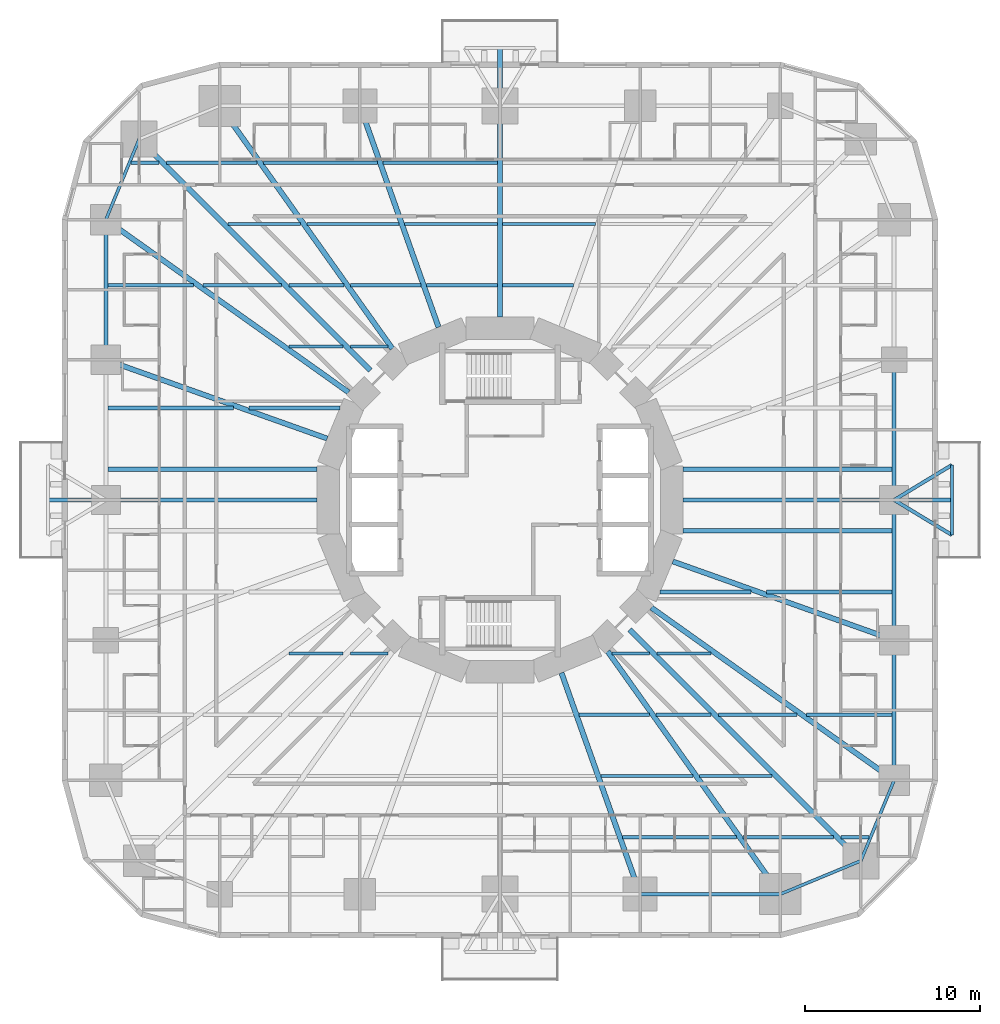
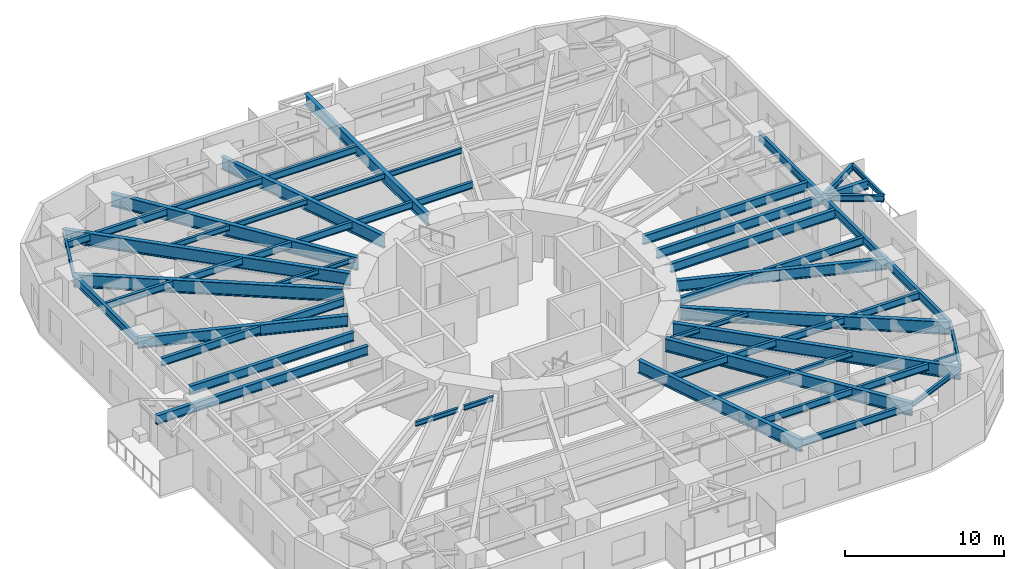
# One storey, part 2 of 14: 60 beams.
"""IFC4 building model written with IfcOpenShell, lengths in metres."""

import ifcopenshell
import ifcopenshell.guid

model = None  # the IFC model being written
_history = None  # IfcOwnerHistory: only IFC2X3 demands one
_inside = {}  # id of a spatial element -> (the spatial element, [elements in it])
_under = {}  # id of a project, library or spatial element -> (it, [spatial elements below it])
_declared = {}  # id of a project -> (the project, [libraries it declares])
_typed = {}  # id of a type object -> (the type object, [elements of that type])
_made_of = {}  # id of a material, layer set ... -> (it, [elements and type objects made of it])


def new_model(schema):
    """Start an empty IFC model of exactly this schema.

    Asked for "IFC4X3", IfcOpenShell would pick the latest addendum, in which some entities
    have other attributes; the version numbers below select the first issue.
    IFC2X3 requires an IfcOwnerHistory on every rooted entity: one is made here for all.
    """
    global model, _history
    if schema == "IFC4X3":
        model = ifcopenshell.file(schema_version=(4, 3, 0, 0))
    else:
        model = ifcopenshell.file(schema=schema)
    _inside.clear()
    _under.clear()
    _declared.clear()
    _typed.clear()
    _made_of.clear()
    _history = None
    if model.schema == "IFC2X3":
        org = make("IfcOrganization", Name="unknown")
        user = make(
            "IfcPersonAndOrganization",
            ThePerson=make("IfcPerson", FamilyName="unknown"),
            TheOrganization=org,
        )
        app = make(
            "IfcApplication",
            ApplicationDeveloper=org,
            Version="unknown",
            ApplicationFullName="unknown",
            ApplicationIdentifier="unknown",
        )
        _history = make(
            "IfcOwnerHistory",
            OwningUser=user,
            OwningApplication=app,
            ChangeAction="ADDED",
            CreationDate=0,
        )
    return model


def make(cls, **values):
    """One entity of the class cls with the attributes given. An attribute that is None is left unset."""
    return model.create_entity(
        cls, **{name: value for name, value in values.items() if value is not None}
    )


def rooted(cls, **values):
    """An entity with a GlobalId (a new one), such as an element, a storey or a relation."""
    return make(cls, GlobalId=ifcopenshell.guid.new(), OwnerHistory=_history, **values)


def si_unit(unit_type, name, prefix=None):
    """IfcSIUnit, for example si_unit("LENGTHUNIT", "METRE", prefix="MILLI")."""
    return make("IfcSIUnit", UnitType=unit_type, Prefix=prefix, Name=name)


def assignment(units):
    """IfcUnitAssignment: the units of a project."""
    return None if units is None else make("IfcUnitAssignment", Units=units)


def point(xyz):
    """IfcCartesianPoint."""
    return None if xyz is None else make("IfcCartesianPoint", Coordinates=xyz)


def direction(xyz):
    """IfcDirection."""
    return None if xyz is None else make("IfcDirection", DirectionRatios=xyz)


def frame(location, z_axis=None, x_axis=None):
    """IfcAxis2Placement3D, a coordinate frame: its origin and axes. An axis left out is left unset."""
    return make(
        "IfcAxis2Placement3D",
        Location=point(location),
        Axis=direction(z_axis),
        RefDirection=direction(x_axis),
    )


def frame_2d(location, x_axis=None):
    """IfcAxis2Placement2D, a coordinate frame in the plane: its origin and x axis."""
    return make(
        "IfcAxis2Placement2D", Location=point(location), RefDirection=direction(x_axis)
    )


def origin():
    """The frame at (0, 0, 0) with its axes left unset."""
    return frame((0.0, 0.0, 0.0))


def origin_2d():
    """The frame at (0, 0) in the plane with its x axis left unset."""
    return frame_2d((0.0, 0.0))


def place(relative_to, where):
    """IfcLocalPlacement: puts the frame where relative to a parent placement (None: the world)."""
    return make(
        "IfcLocalPlacement", PlacementRelTo=relative_to, RelativePlacement=where
    )


def context(
    kind, dimensions, precision=None, world=None, true_north=None, identifier=None
):
    """IfcGeometricRepresentationContext, for example the 3D "Model" context."""
    return make(
        "IfcGeometricRepresentationContext",
        ContextIdentifier=identifier,
        ContextType=kind,
        CoordinateSpaceDimension=dimensions,
        Precision=precision,
        WorldCoordinateSystem=world,
        TrueNorth=true_north,
    )


def subcontext(parent, identifier, kind, view, scale=None):
    """IfcGeometricRepresentationSubContext, for example "Body" below "Model"."""
    return make(
        "IfcGeometricRepresentationSubContext",
        ContextIdentifier=identifier,
        ContextType=kind,
        ParentContext=parent,
        TargetScale=scale,
        TargetView=view,
    )


def project(units=None, contexts=None):
    """IfcProject with its units and contexts."""
    return rooted(
        "IfcProject",
        Name="project",
        RepresentationContexts=contexts,
        UnitsInContext=assignment(units),
    )


def spatial(cls, under=None, at=None, **own):
    """A site, building, storey or space (cls), placed at a placement, below another one or the project."""
    s = rooted(cls, ObjectPlacement=at, **own)
    if under is not None:
        _under.setdefault(under.id(), (under, []))[1].append(s)
    return s


def profile(cls, at=None, kind="AREA", **sizes):
    """A parametric profile (cls). Its sizes go by their IFC names, for example OverallWidth=200.0."""
    return make(cls, ProfileType=kind, Position=at, **sizes)


def i_section(**sizes):
    """IfcIShapeProfileDef."""
    return profile("IfcIShapeProfileDef", **sizes)


def extrude(swept, where, along, depth):
    """IfcExtrudedAreaSolid: the profile swept, set in the frame where, extruded along a direction by depth."""
    return make(
        "IfcExtrudedAreaSolid",
        SweptArea=swept,
        Position=where,
        ExtrudedDirection=direction(along),
        Depth=depth,
    )


def shape(context_of_items, identifier, shape_type, items):
    """IfcShapeRepresentation: the items that make up one representation, for example the "Body"."""
    return make(
        "IfcShapeRepresentation",
        ContextOfItems=context_of_items,
        RepresentationIdentifier=identifier,
        RepresentationType=shape_type,
        Items=items,
    )


def material(Name=None, Category=None):
    """IfcMaterial."""
    return make("IfcMaterial", Name=Name, Category=Category)


def material_profile(
    of_material, cross_section, Name=None, Category=None, Priority=None
):
    """IfcMaterialProfile: a cross section and its material."""
    return make(
        "IfcMaterialProfile",
        Name=Name,
        Material=of_material,
        Profile=cross_section,
        Priority=Priority,
        Category=Category,
    )


def profile_set(profiles, Name=None, composite=None):
    """IfcMaterialProfileSet."""
    return make(
        "IfcMaterialProfileSet",
        Name=Name,
        MaterialProfiles=profiles,
        CompositeProfile=composite,
    )


def made_of(thing, what):
    """Note that an element or type object is made of a material, layer set ...; save() writes the relation."""
    if what is not None:
        _made_of.setdefault(what.id(), (what, []))[1].append(thing)
    return thing


def type_object(cls, material=None, **own):
    """A type object (cls), such as IfcWallType, which elements share."""
    return made_of(rooted(cls, **own), material)


def element(
    cls,
    number,
    at=None,
    inside=None,
    cuts=None,
    type_object=None,
    material=None,
    context=None,
    identifier="Body",
    shape_type=None,
    held_by="IfcProductDefinitionShape",
    body=None,
    shapes=None,
    **own,
):
    """One element of the class cls, such as IfcWall. Its Tag is "e" and its number.

    at: its placement. inside: the storey or other place that contains it. cuts: it is an
    opening in that element (IfcRelVoidsElement). A single representation is given by context,
    identifier, shape_type and body (its items); several are given by shapes. held_by: the class
    of the entity that holds the representations. save() writes the other relations.
    """
    e = rooted(cls, Tag="e%d" % number, ObjectPlacement=at, **own)
    if body is not None:
        shapes = [shape(context, identifier, shape_type, body)]
    if shapes is not None:
        e.Representation = make(held_by, Representations=shapes)
    if inside is not None:
        _inside.setdefault(inside.id(), (inside, []))[1].append(e)
    if cuts is not None:
        rooted(
            "IfcRelVoidsElement", RelatingBuildingElement=cuts, RelatedOpeningElement=e
        )
    if type_object is not None:
        _typed.setdefault(type_object.id(), (type_object, []))[1].append(e)
    return made_of(e, material)


def aggregate(whole, parts):
    """IfcRelAggregates: a whole, such as a stair, and the parts it consists of."""
    return rooted("IfcRelAggregates", RelatingObject=whole, RelatedObjects=parts)


def save(model, path):
    """Write the relations noted so far, then the file.

    IfcRelAggregates (storeys below a building ...), IfcRelContainedInSpatialStructure (elements
    in a storey), IfcRelDefinesByType, IfcRelAssociatesMaterial and IfcRelDeclares: one each for
    every whole, place, type object, material and project.
    """
    for whole, parts in _under.values():
        aggregate(whole, parts)
    for where, things in _inside.values():
        rooted(
            "IfcRelContainedInSpatialStructure",
            RelatedElements=things,
            RelatingStructure=where,
        )
    for kind, things in _typed.values():
        rooted("IfcRelDefinesByType", RelatedObjects=things, RelatingType=kind)
    for what, things in _made_of.values():
        rooted("IfcRelAssociatesMaterial", RelatedObjects=things, RelatingMaterial=what)
    for by, libraries in _declared.values():
        rooted("IfcRelDeclares", RelatingContext=by, RelatedDefinitions=libraries)
    model.write(path)


model = new_model("IFC4")

# Units and contexts
model_context = context("Model", 3, precision=1e-05, world=origin(), true_north=direction((0.0, 1.0)))
body_context = subcontext(model_context, "Body", "Model", "MODEL_VIEW")
ifc_project = project(units=[si_unit("LENGTHUNIT", "METRE"), si_unit("AREAUNIT", "SQUARE_METRE"), si_unit("VOLUMEUNIT", "CUBIC_METRE"), si_unit("PLANEANGLEUNIT", "RADIAN"), si_unit("MASSUNIT", "GRAM", prefix="KILO")], contexts=[model_context])

# Site, building, storey
site_placement = place(None, origin())
site = spatial("IfcSite", under=ifc_project, at=site_placement, CompositionType="ELEMENT")
building_placement = place(site_placement, origin())
building = spatial("IfcBuilding", under=site, at=building_placement, Name="Nakasero Lantern House", CompositionType="ELEMENT")
storey_placement = place(building_placement, frame((0.0, 0.0, 35.25)))
storey = spatial("IfcBuildingStorey", under=building, at=storey_placement, Name="L08", CompositionType="ELEMENT", Elevation=35.25)

# Beams
ifc_material_1 = material(Name="Steel S355", Category="steel")
ifc_material_profile_1 = material_profile(ifc_material_1, i_section(OverallWidth=0.199462890625, OverallDepth=0.491943359375, WebThickness=0.01806640625, FlangeThickness=0.031982421875, FilletRadius=0.01025390625, at=origin_2d()), Name="UB 457x191x161")
ifc_profile_set_1 = profile_set([ifc_material_profile_1], Name="Steel S355")
beam_type_1 = type_object("IfcBeamType", Name="Balcony splay beam UB 457x191x161", PredefinedType="BEAM", material=ifc_profile_set_1)
for number, where, z_axis, x_axis, name in (
    (1, (22.5, 0.0, 3.404052734375), (0.855201230787, 0.518296107317, 0.0), (-0.518296107317, 0.855201230787, 0.0), "Balcony splay beam L09 B1-C03A"),
    (2, (22.5, 0.0, 3.404052734375), (0.855201230787, -0.518296107317, 0.0), (0.518296107317, 0.855201230787, 0.0), "Balcony splay beam L09 B1-C03B"),
):
    element("IfcBeam", number, at=place(storey_placement, frame(where, z_axis=z_axis, x_axis=x_axis)), inside=storey, type_object=beam_type_1, Name=name, PredefinedType="BEAM", context=body_context, shape_type="SweptSolid", body=[
        extrude(i_section(OverallWidth=0.199462890625, OverallDepth=0.491943359375, WebThickness=0.01806640625, FlangeThickness=0.031982421875, FilletRadius=0.01025390625, at=origin_2d()), origin(), (0.0, 0.0, 1.0), 3.85888671875),
    ])
ifc_material_2 = material(Name="Steel S355", Category="steel")
ifc_material_profile_2 = material_profile(ifc_material_2, i_section(OverallWidth=0.17138671875, OverallDepth=0.35498046875, WebThickness=0.00732421875, FlangeThickness=0.011474609375, FilletRadius=0.01025390625, at=origin_2d()), Name="UB 356x171x51")
ifc_profile_set_2 = profile_set([ifc_material_profile_2], Name="Steel S355")
beam_type_2 = type_object("IfcBeamType", Name="Balcony tie beam UB 356x171x51", PredefinedType="BEAM", material=ifc_profile_set_2)
beam_1_placement = place(storey_placement, frame((25.800048828125, 2.0, 3.472412109375), z_axis=(0.0, -1.0, 0.0), x_axis=(1.0, 0.0, 0.0)))
element("IfcBeam", 3, at=beam_1_placement, inside=storey, type_object=beam_type_2, Name="Balcony tie beam L09 B1-C03", PredefinedType="BEAM", context=body_context, shape_type="SweptSolid", body=[
    extrude(i_section(OverallWidth=0.17138671875, OverallDepth=0.35498046875, WebThickness=0.00732421875, FlangeThickness=0.011474609375, FilletRadius=0.01025390625, at=origin_2d()), origin(), (0.0, 0.0, 1.0), 4.0),
])
ifc_material_3 = material(Name="Steel S355", Category="steel")
ifc_material_profile_3 = material_profile(ifc_material_3, i_section(OverallWidth=0.17138671875, OverallDepth=0.35498046875, WebThickness=0.00732421875, FlangeThickness=0.011474609375, FilletRadius=0.01025390625, at=origin_2d()), Name="UB 356x171x51")
ifc_profile_set_3 = profile_set([ifc_material_profile_3], Name="Steel S355")
beam_type_3 = type_object("IfcBeamType", Name="Infill beam UB 356x171x51", PredefinedType="JOIST", material=ifc_profile_set_3)
beam_2_placement = place(storey_placement, frame((-12.0458984375, -8.75, 3.472412109375), z_axis=(1.0, 0.0, 0.0), x_axis=(0.0, 1.0, 0.0)))
element("IfcBeam", 4, at=beam_2_placement, inside=storey, type_object=beam_type_3, Name="Infill beam L09 05.1", PredefinedType="JOIST", context=body_context, shape_type="SweptSolid", body=[
    extrude(i_section(OverallWidth=0.17138671875, OverallDepth=0.35498046875, WebThickness=0.00732421875, FlangeThickness=0.011474609375, FilletRadius=0.01025390625, at=origin_2d()), origin(), (0.0, 0.0, 1.0), 3.083740234375),
])
for number, where, z_axis, x_axis, name in (
    (5, (-8.537841796875, -8.75, 3.472412109375), (1.0, 0.0, 0.0), (0.0, 1.0, 0.0), "Infill beam L09 05.2"),
    (6, (6.40625, -8.75, 3.472412109375), (1.0, 0.0, 0.0), (0.0, 1.0, 0.0), "Infill beam L09 05.3"),
):
    element("IfcBeam", number, at=place(storey_placement, frame(where, z_axis=z_axis, x_axis=x_axis)), inside=storey, type_object=beam_type_3, Name=name, PredefinedType="JOIST", context=body_context, shape_type="SweptSolid", body=[
        extrude(i_section(OverallWidth=0.17138671875, OverallDepth=0.35498046875, WebThickness=0.00732421875, FlangeThickness=0.011474609375, FilletRadius=0.01025390625, at=origin_2d()), origin(), (0.0, 0.0, 1.0), 2.131591796875),
    ])
for number, where, z_axis, x_axis, name in (
    (7, (8.962158203125, -8.75, 3.472412109375), (1.0, 0.0, 0.0), (0.0, 1.0, 0.0), "Infill beam L09 05.4"),
    (8, (-12.0458984375, 8.75, 3.472412109375), (1.0, 0.0, 0.0), (0.0, 1.0, 0.0), "Infill beam L09 10.1"),
):
    element("IfcBeam", number, at=place(storey_placement, frame(where, z_axis=z_axis, x_axis=x_axis)), inside=storey, type_object=beam_type_3, Name=name, PredefinedType="JOIST", context=body_context, shape_type="SweptSolid", body=[
        extrude(i_section(OverallWidth=0.17138671875, OverallDepth=0.35498046875, WebThickness=0.00732421875, FlangeThickness=0.011474609375, FilletRadius=0.01025390625, at=origin_2d()), origin(), (0.0, 0.0, 1.0), 3.083740234375),
    ])
beam_3_placement = place(storey_placement, frame((-8.537841796875, 8.75, 3.472412109375), z_axis=(1.0, 0.0, 0.0), x_axis=(0.0, 1.0, 0.0)))
element("IfcBeam", 9, at=beam_3_placement, inside=storey, type_object=beam_type_3, Name="Infill beam L09 10.2", PredefinedType="JOIST", context=body_context, shape_type="SweptSolid", body=[
    extrude(i_section(OverallWidth=0.17138671875, OverallDepth=0.35498046875, WebThickness=0.00732421875, FlangeThickness=0.011474609375, FilletRadius=0.01025390625, at=origin_2d()), origin(), (0.0, 0.0, 1.0), 2.131591796875),
])
ifc_material_4 = material(Name="Steel S355", Category="steel")
ifc_material_profile_4 = material_profile(ifc_material_4, i_section(OverallWidth=0.177978515625, OverallDepth=0.406494140625, WebThickness=0.0078125, FlangeThickness=0.0126953125, FilletRadius=0.01025390625, at=origin_2d()), Name="UB 406x178x60")
ifc_profile_set_4 = profile_set([ifc_material_profile_4], Name="Steel S355")
beam_type_4 = type_object("IfcBeamType", Name="Infill beam UB 406x178x60", PredefinedType="JOIST", material=ifc_profile_set_4)
beam_4_placement = place(storey_placement, frame((5.75927734375, -15.75, 3.44677734375), z_axis=(1.0, 0.0, 0.0), x_axis=(0.0, 1.0, 0.0)))
element("IfcBeam", 10, at=beam_4_placement, inside=storey, type_object=beam_type_4, Name="Infill beam L09 03.5", PredefinedType="JOIST", context=body_context, shape_type="SweptSolid", body=[
    extrude(i_section(OverallWidth=0.177978515625, OverallDepth=0.406494140625, WebThickness=0.0078125, FlangeThickness=0.0126953125, FilletRadius=0.01025390625, at=origin_2d()), origin(), (0.0, 0.0, 1.0), 5.256591796875),
])
for number, where, z_axis, x_axis, name in (
    (11, (11.384033203125, -15.75, 3.44677734375), (1.0, 0.0, 0.0), (0.0, 1.0, 0.0), "Infill beam L09 03.6"),
    (12, (-15.537841796875, 15.75, 3.44677734375), (1.0, 0.0, 0.0), (0.0, 1.0, 0.0), "Infill beam L09 12.1"),
):
    element("IfcBeam", number, at=place(storey_placement, frame(where, z_axis=z_axis, x_axis=x_axis)), inside=storey, type_object=beam_type_4, Name=name, PredefinedType="JOIST", context=body_context, shape_type="SweptSolid", body=[
        extrude(i_section(OverallWidth=0.177978515625, OverallDepth=0.406494140625, WebThickness=0.0078125, FlangeThickness=0.0126953125, FilletRadius=0.01025390625, at=origin_2d()), origin(), (0.0, 0.0, 1.0), 4.15380859375),
    ])
beam_5_placement = place(storey_placement, frame((-11.015869140625, 15.75, 3.44677734375), z_axis=(1.0, 0.0, 0.0), x_axis=(0.0, 1.0, 0.0)))
element("IfcBeam", 13, at=beam_5_placement, inside=storey, type_object=beam_type_4, Name="Infill beam L09 12.2", PredefinedType="JOIST", context=body_context, shape_type="SweptSolid", body=[
    extrude(i_section(OverallWidth=0.177978515625, OverallDepth=0.406494140625, WebThickness=0.0078125, FlangeThickness=0.0126953125, FilletRadius=0.01025390625, at=origin_2d()), origin(), (0.0, 0.0, 1.0), 5.256591796875),
])
for number, where, z_axis, x_axis, name in (
    (14, (-5.44091796875, 15.75, 3.44677734375), (1.0, 0.0, 0.0), (0.0, 1.0, 0.0), "Infill beam L09 12.3"),
    (15, (0.146240234375, 15.75, 3.44677734375), (1.0, 0.0, 0.0), (0.0, 1.0, 0.0), "Infill beam L09 12.4"),
):
    element("IfcBeam", number, at=place(storey_placement, frame(where, z_axis=z_axis, x_axis=x_axis)), inside=storey, type_object=beam_type_4, Name=name, PredefinedType="JOIST", context=body_context, shape_type="SweptSolid", body=[
        extrude(i_section(OverallWidth=0.177978515625, OverallDepth=0.406494140625, WebThickness=0.0078125, FlangeThickness=0.0126953125, FilletRadius=0.01025390625, at=origin_2d()), origin(), (0.0, 0.0, 1.0), 5.294677734375),
    ])
ifc_material_5 = material(Name="Steel S355", Category="steel")
ifc_material_profile_5 = material_profile(ifc_material_5, i_section(OverallWidth=0.208740234375, OverallDepth=0.5283203125, WebThickness=0.009521484375, FlangeThickness=0.01318359375, FilletRadius=0.0126953125, at=origin_2d()), Name="UB 533x210x82")
ifc_profile_set_5 = profile_set([ifc_material_profile_5], Name="Steel S355")
beam_type_5 = type_object("IfcBeamType", Name="Infill beam UB 533x210x82", PredefinedType="JOIST", material=ifc_profile_set_5)
beam_6_placement = place(storey_placement, frame((7.003662109375, -19.25, 3.3857421875), z_axis=(1.0, 0.0, 0.0), x_axis=(0.0, 1.0, 0.0)))
element("IfcBeam", 16, at=beam_6_placement, inside=storey, type_object=beam_type_5, Name="Infill beam L09 02.6", PredefinedType="JOIST", context=body_context, shape_type="SweptSolid", body=[
    extrude(i_section(OverallWidth=0.208740234375, OverallDepth=0.5283203125, WebThickness=0.009521484375, FlangeThickness=0.01318359375, FilletRadius=0.0126953125, at=origin_2d()), origin(), (0.0, 0.0, 1.0), 6.501220703125),
])
beam_7_placement = place(storey_placement, frame((13.873046875, -19.25, 3.3857421875), z_axis=(1.0, 0.0, 0.0), x_axis=(0.0, 1.0, 0.0)))
element("IfcBeam", 17, at=beam_7_placement, inside=storey, type_object=beam_type_5, Name="Infill beam L09 02.7", PredefinedType="JOIST", context=body_context, shape_type="SweptSolid", body=[
    extrude(i_section(OverallWidth=0.208740234375, OverallDepth=0.5283203125, WebThickness=0.009521484375, FlangeThickness=0.01318359375, FilletRadius=0.0126953125, at=origin_2d()), origin(), (0.0, 0.0, 1.0), 5.164794921875),
])
beam_8_placement = place(storey_placement, frame((19.462158203125, -19.25, 3.3857421875), z_axis=(1.0, 0.0, 0.0), x_axis=(0.0, 1.0, 0.0)))
element("IfcBeam", 18, at=beam_8_placement, inside=storey, type_object=beam_type_5, Name="Infill beam L09 02.8", PredefinedType="JOIST", context=body_context, shape_type="SweptSolid", body=[
    extrude(i_section(OverallWidth=0.208740234375, OverallDepth=0.5283203125, WebThickness=0.009521484375, FlangeThickness=0.01318359375, FilletRadius=0.0126953125, at=origin_2d()), origin(), (0.0, 0.0, 1.0), 1.598876953125),
])
beam_9_placement = place(storey_placement, frame((4.5146484375, -12.25, 3.3857421875), z_axis=(1.0, 0.0, 0.0), x_axis=(0.0, 1.0, 0.0)))
element("IfcBeam", 19, at=beam_9_placement, inside=storey, type_object=beam_type_5, Name="Infill beam L09 04.7", PredefinedType="JOIST", context=body_context, shape_type="SweptSolid", body=[
    extrude(i_section(OverallWidth=0.208740234375, OverallDepth=0.5283203125, WebThickness=0.009521484375, FlangeThickness=0.01318359375, FilletRadius=0.0126953125, at=origin_2d()), origin(), (0.0, 0.0, 1.0), 4.012451171875),
])
beam_10_placement = place(storey_placement, frame((8.895263671875, -12.25, 3.3857421875), z_axis=(1.0, 0.0, 0.0), x_axis=(0.0, 1.0, 0.0)))
element("IfcBeam", 20, at=beam_10_placement, inside=storey, type_object=beam_type_5, Name="Infill beam L09 04.8", PredefinedType="JOIST", context=body_context, shape_type="SweptSolid", body=[
    extrude(i_section(OverallWidth=0.208740234375, OverallDepth=0.5283203125, WebThickness=0.009521484375, FlangeThickness=0.01318359375, FilletRadius=0.0126953125, at=origin_2d()), origin(), (0.0, 0.0, 1.0), 3.142578125),
])
beam_11_placement = place(storey_placement, frame((12.462158203125, -12.25, 3.3857421875), z_axis=(1.0, 0.0, 0.0), x_axis=(0.0, 1.0, 0.0)))
element("IfcBeam", 21, at=beam_11_placement, inside=storey, type_object=beam_type_5, Name="Infill beam L09 04.9", PredefinedType="JOIST", context=body_context, shape_type="SweptSolid", body=[
    extrude(i_section(OverallWidth=0.208740234375, OverallDepth=0.5283203125, WebThickness=0.009521484375, FlangeThickness=0.01318359375, FilletRadius=0.0126953125, at=origin_2d()), origin(), (0.0, 0.0, 1.0), 4.505615234375),
])
for number, where, z_axis, x_axis, name in (
    (22, (17.4853515625, -12.25, 3.3857421875), (1.0, 0.0, 0.0), (0.0, 1.0, 0.0), "Infill beam L09 04.10"),
    (23, (-22.385498046875, 12.25, 3.3857421875), (1.0, 0.0, 0.0), (0.0, 1.0, 0.0), "Infill beam L09 11.1"),
):
    element("IfcBeam", number, at=place(storey_placement, frame(where, z_axis=z_axis, x_axis=x_axis)), inside=storey, type_object=beam_type_5, Name=name, PredefinedType="JOIST", context=body_context, shape_type="SweptSolid", body=[
        extrude(i_section(OverallWidth=0.208740234375, OverallDepth=0.5283203125, WebThickness=0.009521484375, FlangeThickness=0.01318359375, FilletRadius=0.0126953125, at=origin_2d()), origin(), (0.0, 0.0, 1.0), 4.900146484375),
    ])
beam_12_placement = place(storey_placement, frame((-16.9677734375, 12.25, 3.3857421875), z_axis=(1.0, 0.0, 0.0), x_axis=(0.0, 1.0, 0.0)))
element("IfcBeam", 24, at=beam_12_placement, inside=storey, type_object=beam_type_5, Name="Infill beam L09 11.2", PredefinedType="JOIST", context=body_context, shape_type="SweptSolid", body=[
    extrude(i_section(OverallWidth=0.208740234375, OverallDepth=0.5283203125, WebThickness=0.009521484375, FlangeThickness=0.01318359375, FilletRadius=0.0126953125, at=origin_2d()), origin(), (0.0, 0.0, 1.0), 4.505615234375),
])
beam_13_placement = place(storey_placement, frame((-12.037841796875, 12.25, 3.3857421875), z_axis=(1.0, 0.0, 0.0), x_axis=(0.0, 1.0, 0.0)))
element("IfcBeam", 25, at=beam_13_placement, inside=storey, type_object=beam_type_5, Name="Infill beam L09 11.3", PredefinedType="JOIST", context=body_context, shape_type="SweptSolid", body=[
    extrude(i_section(OverallWidth=0.208740234375, OverallDepth=0.5283203125, WebThickness=0.009521484375, FlangeThickness=0.01318359375, FilletRadius=0.0126953125, at=origin_2d()), origin(), (0.0, 0.0, 1.0), 3.142578125),
])
beam_14_placement = place(storey_placement, frame((-8.527099609375, 12.25, 3.3857421875), z_axis=(1.0, 0.0, 0.0), x_axis=(0.0, 1.0, 0.0)))
element("IfcBeam", 26, at=beam_14_placement, inside=storey, type_object=beam_type_5, Name="Infill beam L09 11.4", PredefinedType="JOIST", context=body_context, shape_type="SweptSolid", body=[
    extrude(i_section(OverallWidth=0.208740234375, OverallDepth=0.5283203125, WebThickness=0.009521484375, FlangeThickness=0.01318359375, FilletRadius=0.0126953125, at=origin_2d()), origin(), (0.0, 0.0, 1.0), 4.012451171875),
])
for number, where, z_axis, x_axis, name in (
    (27, (-4.1962890625, 12.25, 3.3857421875), (1.0, 0.0, 0.0), (0.0, 1.0, 0.0), "Infill beam L09 11.5"),
    (28, (0.146240234375, 12.25, 3.3857421875), (1.0, 0.0, 0.0), (0.0, 1.0, 0.0), "Infill beam L09 11.6"),
):
    element("IfcBeam", number, at=place(storey_placement, frame(where, z_axis=z_axis, x_axis=x_axis)), inside=storey, type_object=beam_type_5, Name=name, PredefinedType="JOIST", context=body_context, shape_type="SweptSolid", body=[
        extrude(i_section(OverallWidth=0.208740234375, OverallDepth=0.5283203125, WebThickness=0.009521484375, FlangeThickness=0.01318359375, FilletRadius=0.0126953125, at=origin_2d()), origin(), (0.0, 0.0, 1.0), 4.050048828125),
    ])
beam_15_placement = place(storey_placement, frame((-21.06103515625, 19.25, 3.3857421875), z_axis=(1.0, 0.0, 0.0), x_axis=(0.0, 1.0, 0.0)))
element("IfcBeam", 29, at=beam_15_placement, inside=storey, type_object=beam_type_5, Name="Infill beam L09 13.1", PredefinedType="JOIST", context=body_context, shape_type="SweptSolid", body=[
    extrude(i_section(OverallWidth=0.208740234375, OverallDepth=0.5283203125, WebThickness=0.009521484375, FlangeThickness=0.01318359375, FilletRadius=0.0126953125, at=origin_2d()), origin(), (0.0, 0.0, 1.0), 1.598876953125),
])
beam_16_placement = place(storey_placement, frame((-19.037841796875, 19.25, 3.3857421875), z_axis=(1.0, 0.0, 0.0), x_axis=(0.0, 1.0, 0.0)))
element("IfcBeam", 30, at=beam_16_placement, inside=storey, type_object=beam_type_5, Name="Infill beam L09 13.2", PredefinedType="JOIST", context=body_context, shape_type="SweptSolid", body=[
    extrude(i_section(OverallWidth=0.208740234375, OverallDepth=0.5283203125, WebThickness=0.009521484375, FlangeThickness=0.01318359375, FilletRadius=0.0126953125, at=origin_2d()), origin(), (0.0, 0.0, 1.0), 5.164794921875),
])
beam_17_placement = place(storey_placement, frame((-13.5048828125, 19.25, 3.3857421875), z_axis=(1.0, 0.0, 0.0), x_axis=(0.0, 1.0, 0.0)))
element("IfcBeam", 31, at=beam_17_placement, inside=storey, type_object=beam_type_5, Name="Infill beam L09 13.3", PredefinedType="JOIST", context=body_context, shape_type="SweptSolid", body=[
    extrude(i_section(OverallWidth=0.208740234375, OverallDepth=0.5283203125, WebThickness=0.009521484375, FlangeThickness=0.01318359375, FilletRadius=0.0126953125, at=origin_2d()), origin(), (0.0, 0.0, 1.0), 6.501220703125),
])
beam_18_placement = place(storey_placement, frame((-6.685302734375, 19.25, 3.3857421875), z_axis=(1.0, 0.0, 0.0), x_axis=(0.0, 1.0, 0.0)))
element("IfcBeam", 32, at=beam_18_placement, inside=storey, type_object=beam_type_5, Name="Infill beam L09 13.4", PredefinedType="JOIST", context=body_context, shape_type="SweptSolid", body=[
    extrude(i_section(OverallWidth=0.208740234375, OverallDepth=0.5283203125, WebThickness=0.009521484375, FlangeThickness=0.01318359375, FilletRadius=0.0126953125, at=origin_2d()), origin(), (0.0, 0.0, 1.0), 6.5390625),
])
ifc_material_6 = material(Name="Steel S355", Category="steel")
ifc_material_profile_6 = material_profile(ifc_material_6, i_section(OverallWidth=0.2275390625, OverallDepth=0.6025390625, WebThickness=0.010498046875, FlangeThickness=0.014892578125, FilletRadius=0.0126953125, at=origin_2d()), Name="UB 610x229x101")
ifc_profile_set_6 = profile_set([ifc_material_profile_6], Name="Steel S355")
beam_type_6 = type_object("IfcBeamType", Name="Infill beam UB 610x229x101", PredefinedType="JOIST", material=ifc_profile_set_6)
beam_19_placement = place(storey_placement, frame((9.144775390625, -5.25, 3.3486328125), z_axis=(1.0, 0.0, 0.0), x_axis=(0.0, 1.0, 0.0)))
element("IfcBeam", 33, at=beam_19_placement, inside=storey, type_object=beam_type_6, Name="Infill beam L09 06.3", PredefinedType="JOIST", context=body_context, shape_type="SweptSolid", body=[
    extrude(i_section(OverallWidth=0.2275390625, OverallDepth=0.6025390625, WebThickness=0.010498046875, FlangeThickness=0.014892578125, FilletRadius=0.0126953125, at=origin_2d()), origin(), (0.0, 0.0, 1.0), 5.184326171875),
])
for number, where, z_axis, x_axis, name in (
    (34, (15.2021484375, -5.25, 3.3486328125), (1.0, 0.0, 0.0), (0.0, 1.0, 0.0), "Infill beam L09 06.4"),
    (35, (-22.385498046875, 5.25, 3.3486328125), (1.0, 0.0, 0.0), (0.0, 1.0, 0.0), "Infill beam L09 09.1"),
):
    element("IfcBeam", number, at=place(storey_placement, frame(where, z_axis=z_axis, x_axis=x_axis)), inside=storey, type_object=beam_type_6, Name=name, PredefinedType="JOIST", context=body_context, shape_type="SweptSolid", body=[
        extrude(i_section(OverallWidth=0.2275390625, OverallDepth=0.6025390625, WebThickness=0.010498046875, FlangeThickness=0.014892578125, FilletRadius=0.0126953125, at=origin_2d()), origin(), (0.0, 0.0, 1.0), 7.183349609375),
    ])
beam_20_placement = place(storey_placement, frame((-14.3291015625, 5.25, 3.3486328125), z_axis=(1.0, 0.0, 0.0), x_axis=(0.0, 1.0, 0.0)))
element("IfcBeam", 36, at=beam_20_placement, inside=storey, type_object=beam_type_6, Name="Infill beam L09 09.2", PredefinedType="JOIST", context=body_context, shape_type="SweptSolid", body=[
    extrude(i_section(OverallWidth=0.2275390625, OverallDepth=0.6025390625, WebThickness=0.010498046875, FlangeThickness=0.014892578125, FilletRadius=0.0126953125, at=origin_2d()), origin(), (0.0, 0.0, 1.0), 5.184326171875),
])
ifc_material_7 = material(Name="Steel S355", Category="steel")
ifc_material_profile_7 = material_profile(ifc_material_7, i_section(OverallWidth=0.253662109375, OverallDepth=0.68359375, WebThickness=0.012451171875, FlangeThickness=0.01904296875, FilletRadius=0.01513671875, at=origin_2d()), Name="UB 686x254x140")
ifc_profile_set_7 = profile_set([ifc_material_profile_7], Name="Steel S355")
beam_type_7 = type_object("IfcBeamType", Name="Infill beam UB 686x254x140", PredefinedType="JOIST", material=ifc_profile_set_7)
for number, where, z_axis, x_axis, name in (
    (37, (10.457763671875, -1.75, 3.308349609375), (1.0, 0.0, 0.0), (0.0, 1.0, 0.0), "Infill beam L09 07.2"),
    (38, (-22.385498046875, 1.75, 3.308349609375), (1.0, 0.0, 0.0), (0.0, 1.0, 0.0), "Infill beam L09 08.1"),
    (39, (10.457763671875, 1.75, 3.308349609375), (1.0, 0.0, 0.0), (0.0, 1.0, 0.0), "Infill beam L09 08.2"),
):
    element("IfcBeam", number, at=place(storey_placement, frame(where, z_axis=z_axis, x_axis=x_axis)), inside=storey, type_object=beam_type_7, Name=name, PredefinedType="JOIST", context=body_context, shape_type="SweptSolid", body=[
        extrude(i_section(OverallWidth=0.253662109375, OverallDepth=0.68359375, WebThickness=0.012451171875, FlangeThickness=0.01904296875, FilletRadius=0.01513671875, at=origin_2d()), origin(), (0.0, 0.0, 1.0), 11.927734375),
    ])
ifc_material_8 = material(Name="Steel S355", Category="steel")
ifc_material_profile_8 = material_profile(ifc_material_8, i_section(OverallWidth=0.300048828125, OverallDepth=0.97021484375, WebThickness=0.01611328125, FlangeThickness=0.02099609375, FilletRadius=0.030029296875, at=origin_2d()), Name="UB 1016x305x222")
ifc_profile_set_8 = profile_set([ifc_material_profile_8], Name="Steel S355")
beam_type_8 = type_object("IfcBeamType", Name="Primary beam UB 1016x305x222, span 12 to 15 m", PredefinedType="BEAM", material=ifc_profile_set_8)
for number, where, z_axis, x_axis, name in (
    (40, (-8.0, 22.5, 3.164794921875), (0.335010745293, -0.942214307118, 0.0), (0.942214307118, 0.335010745293, 0.0), "Primary beam L09 B1-C10"),
    (41, (8.0, -22.5, 3.164794921875), (-0.335010745293, 0.942214307118, 0.0), (-0.942214307118, -0.335010745293, 0.0), "Primary beam L09 B1-C22"),
):
    element("IfcBeam", number, at=place(storey_placement, frame(where, z_axis=z_axis, x_axis=x_axis)), inside=storey, type_object=beam_type_8, Name=name, PredefinedType="BEAM", context=body_context, shape_type="SweptSolid", body=[
        extrude(i_section(OverallWidth=0.300048828125, OverallDepth=0.97021484375, WebThickness=0.01611328125, FlangeThickness=0.02099609375, FilletRadius=0.030029296875, at=origin_2d()), origin(), (0.0, 0.0, 1.0), 13.408447265625),
    ])
ifc_material_9 = material(Name="Steel S355", Category="steel")
ifc_material_profile_9 = material_profile(ifc_material_9, i_section(OverallWidth=0.300048828125, OverallDepth=0.989990234375, WebThickness=0.0166015625, FlangeThickness=0.031005859375, FilletRadius=0.030029296875, at=origin_2d()), Name="UB 1016x305x272")
ifc_profile_set_9 = profile_set([ifc_material_profile_9], Name="Steel S355")
beam_type_9 = type_object("IfcBeamType", Name="Primary beam UB 1016x305x272, span over 15 m", PredefinedType="BEAM", material=ifc_profile_set_9)
beam_21_placement = place(storey_placement, frame((22.5, -16.0, 3.155029296875), z_axis=(-0.814952159915, 0.579528236629, 0.0), x_axis=(-0.579528236629, -0.814952159915, 0.0)))
element("IfcBeam", 42, at=beam_21_placement, inside=storey, type_object=beam_type_9, Name="Primary beam L09 B1-C01", PredefinedType="BEAM", context=body_context, shape_type="SweptSolid", body=[
    extrude(i_section(OverallWidth=0.300048828125, OverallDepth=0.989990234375, WebThickness=0.0166015625, FlangeThickness=0.031005859375, FilletRadius=0.030029296875, at=origin_2d()), origin(), (0.0, 0.0, 1.0), 17.003173828125),
])
beam_22_placement = place(storey_placement, frame((-20.59619140625, 20.59619140625, 3.155029296875), z_axis=(0.707106781187, -0.707106781187, 0.0), x_axis=(0.707106781187, 0.707106781187, 0.0)))
element("IfcBeam", 43, at=beam_22_placement, inside=storey, type_object=beam_type_9, Name="Primary beam L09 B1-C12", PredefinedType="BEAM", context=body_context, shape_type="SweptSolid", body=[
    extrude(i_section(OverallWidth=0.300048828125, OverallDepth=0.989990234375, WebThickness=0.0166015625, FlangeThickness=0.031005859375, FilletRadius=0.030029296875, at=origin_2d()), origin(), (0.0, 0.0, 1.0), 18.669677734375),
])
beam_23_placement = place(storey_placement, frame((-22.5, 16.0, 3.155029296875), z_axis=(0.814952159915, -0.579528236629, 0.0), x_axis=(0.579528236629, 0.814952159915, 0.0)))
element("IfcBeam", 44, at=beam_23_placement, inside=storey, type_object=beam_type_9, Name="Primary beam L09 B1-C13", PredefinedType="BEAM", context=body_context, shape_type="SweptSolid", body=[
    extrude(i_section(OverallWidth=0.300048828125, OverallDepth=0.989990234375, WebThickness=0.0166015625, FlangeThickness=0.031005859375, FilletRadius=0.030029296875, at=origin_2d()), origin(), (0.0, 0.0, 1.0), 17.003173828125),
])
beam_24_placement = place(storey_placement, frame((20.59619140625, -20.59619140625, 3.155029296875), z_axis=(-0.707106781187, 0.707106781187, 0.0), x_axis=(-0.707106781187, -0.707106781187, 0.0)))
element("IfcBeam", 45, at=beam_24_placement, inside=storey, type_object=beam_type_9, Name="Primary beam L09 B1-C24", PredefinedType="BEAM", context=body_context, shape_type="SweptSolid", body=[
    extrude(i_section(OverallWidth=0.300048828125, OverallDepth=0.989990234375, WebThickness=0.0166015625, FlangeThickness=0.031005859375, FilletRadius=0.030029296875, at=origin_2d()), origin(), (0.0, 0.0, 1.0), 18.669677734375),
])
ifc_material_10 = material(Name="Steel S355", Category="steel")
ifc_material_profile_10 = material_profile(ifc_material_10, i_section(OverallWidth=0.300048828125, OverallDepth=1.0, WebThickness=0.01904296875, FlangeThickness=0.035888671875, FilletRadius=0.030029296875, at=origin_2d()), Name="UB 1016x305x314")
ifc_profile_set_10 = profile_set([ifc_material_profile_10], Name="Steel S355")
beam_type_10 = type_object("IfcBeamType", Name="Primary beam UB 1016x305x314, span over 15 m", PredefinedType="BEAM", material=ifc_profile_set_10)
for number, where, z_axis, x_axis, name in (
    (46, (-16.0, 22.5, 3.150146484375), (0.579528236629, -0.814952159915, 0.0), (0.814952159915, 0.579528236629, 0.0), "Primary beam L09 B1-C11"),
    (47, (16.0, -22.5, 3.150146484375), (-0.579528236629, 0.814952159915, 0.0), (-0.814952159915, -0.579528236629, 0.0), "Primary beam L09 B1-C23"),
):
    element("IfcBeam", number, at=place(storey_placement, frame(where, z_axis=z_axis, x_axis=x_axis)), inside=storey, type_object=beam_type_10, Name=name, PredefinedType="BEAM", context=body_context, shape_type="SweptSolid", body=[
        extrude(i_section(OverallWidth=0.300048828125, OverallDepth=1.0, WebThickness=0.01904296875, FlangeThickness=0.035888671875, FilletRadius=0.030029296875, at=origin_2d()), origin(), (0.0, 0.0, 1.0), 17.003173828125),
    ])
ifc_material_11 = material(Name="Steel S355", Category="steel")
ifc_material_profile_11 = material_profile(ifc_material_11, i_section(OverallWidth=0.255859375, OverallDepth=0.69287109375, WebThickness=0.014404296875, FlangeThickness=0.023681640625, FilletRadius=0.01513671875, at=origin_2d()), Name="UB 686x254x170")
ifc_profile_set_11 = profile_set([ifc_material_profile_11], Name="Steel S355")
beam_type_11 = type_object("IfcBeamType", Name="Primary beam UB 686x254x170, span 12 to 15 m", PredefinedType="BEAM", material=ifc_profile_set_11)
for number, where, z_axis, x_axis, name in (
    (48, (25.800048828125, 0.0, 3.303466796875), (-1.0, 0.0, 0.0), (0.0, -1.0, 0.0), "Primary beam L09 B1-C03"),
    (49, (-25.800048828125, 0.0, 3.303466796875), (1.0, 0.0, 0.0), (0.0, 1.0, 0.0), "Primary beam L09 B1-C15"),
):
    element("IfcBeam", number, at=place(storey_placement, frame(where, z_axis=z_axis, x_axis=x_axis)), inside=storey, type_object=beam_type_11, Name=name, PredefinedType="BEAM", context=body_context, shape_type="SweptSolid", body=[
        extrude(i_section(OverallWidth=0.255859375, OverallDepth=0.69287109375, WebThickness=0.014404296875, FlangeThickness=0.023681640625, FilletRadius=0.01513671875, at=origin_2d()), origin(), (0.0, 0.0, 1.0), 15.34228515625),
    ])
ifc_material_12 = material(Name="Steel S355", Category="steel")
ifc_material_profile_12 = material_profile(ifc_material_12, i_section(OverallWidth=0.29248046875, OverallDepth=0.8408203125, WebThickness=0.0146484375, FlangeThickness=0.02685546875, FilletRadius=0.017822265625, at=origin_2d()), Name="UB 838x292x194")
ifc_profile_set_12 = profile_set([ifc_material_profile_12], Name="Steel S355")
beam_type_12 = type_object("IfcBeamType", Name="Primary beam UB 838x292x194, span 12 to 15 m", PredefinedType="BEAM", material=ifc_profile_set_12)
beam_25_placement = place(storey_placement, frame((22.5, -8.0, 3.229736328125), z_axis=(-0.942214307118, 0.335010745293, 0.0), x_axis=(-0.335010745293, -0.942214307118, 0.0)))
element("IfcBeam", 50, at=beam_25_placement, inside=storey, type_object=beam_type_12, Name="Primary beam L09 B1-C02", PredefinedType="BEAM", context=body_context, shape_type="SweptSolid", body=[
    extrude(i_section(OverallWidth=0.29248046875, OverallDepth=0.8408203125, WebThickness=0.0146484375, FlangeThickness=0.02685546875, FilletRadius=0.017822265625, at=origin_2d()), origin(), (0.0, 0.0, 1.0), 13.408447265625),
])
beam_26_placement = place(storey_placement, frame((0.0, 25.800048828125, 3.229736328125), z_axis=(0.0, -1.0, 0.0), x_axis=(1.0, 0.0, 0.0)))
element("IfcBeam", 51, at=beam_26_placement, inside=storey, type_object=beam_type_12, Name="Primary beam L09 B1-C09", PredefinedType="BEAM", context=body_context, shape_type="SweptSolid", body=[
    extrude(i_section(OverallWidth=0.29248046875, OverallDepth=0.8408203125, WebThickness=0.0146484375, FlangeThickness=0.02685546875, FilletRadius=0.017822265625, at=origin_2d()), origin(), (0.0, 0.0, 1.0), 15.34228515625),
])
beam_27_placement = place(storey_placement, frame((-22.5, 8.0, 3.229736328125), z_axis=(0.942214307118, -0.335010745293, 0.0), x_axis=(0.335010745293, 0.942214307118, 0.0)))
element("IfcBeam", 52, at=beam_27_placement, inside=storey, type_object=beam_type_12, Name="Primary beam L09 B1-C14", PredefinedType="BEAM", context=body_context, shape_type="SweptSolid", body=[
    extrude(i_section(OverallWidth=0.29248046875, OverallDepth=0.8408203125, WebThickness=0.0146484375, FlangeThickness=0.02685546875, FilletRadius=0.017822265625, at=origin_2d()), origin(), (0.0, 0.0, 1.0), 13.408447265625),
])
ifc_material_13 = material(Name="Steel S355", Category="steel")
ifc_material_profile_13 = material_profile(ifc_material_13, i_section(OverallWidth=0.17138671875, OverallDepth=0.35498046875, WebThickness=0.00732421875, FlangeThickness=0.011474609375, FilletRadius=0.01025390625, at=origin_2d()), Name="UB 356x171x51")
ifc_profile_set_13 = profile_set([ifc_material_profile_13], Name="Steel S355")
beam_type_13 = type_object("IfcBeamType", Name="Ring beam UB 356x171x51", PredefinedType="BEAM", material=ifc_profile_set_13)
for number, where, z_axis, x_axis, name in (
    (53, (-20.59619140625, 20.59619140625, 3.472412109375), (-0.382684080569, -0.923879264016, 0.0), (0.923879264016, -0.382684080569, 0.0), "Ring beam L09 B1-C12"),
    (54, (16.0, -22.5, 3.472412109375), (0.923879264016, 0.382684080569, 0.0), (-0.382684080569, 0.923879264016, 0.0), "Ring beam L09 B1-C23"),
    (55, (20.59619140625, -20.59619140625, 3.472412109375), (0.382684080569, 0.923879264016, 0.0), (-0.923879264016, 0.382684080569, 0.0), "Ring beam L09 B1-C24"),
):
    element("IfcBeam", number, at=place(storey_placement, frame(where, z_axis=z_axis, x_axis=x_axis)), inside=storey, type_object=beam_type_13, Name=name, PredefinedType="BEAM", context=body_context, shape_type="SweptSolid", body=[
        extrude(i_section(OverallWidth=0.17138671875, OverallDepth=0.35498046875, WebThickness=0.00732421875, FlangeThickness=0.011474609375, FilletRadius=0.01025390625, at=origin_2d()), origin(), (0.0, 0.0, 1.0), 4.974853515625),
    ])
ifc_material_14 = material(Name="Steel S355", Category="steel")
ifc_material_profile_14 = material_profile(ifc_material_14, i_section(OverallWidth=0.2099609375, OverallDepth=0.53662109375, WebThickness=0.0107421875, FlangeThickness=0.017333984375, FilletRadius=0.0126953125, at=origin_2d()), Name="UB 533x210x101")
ifc_profile_set_14 = profile_set([ifc_material_profile_14], Name="Steel S355")
beam_type_14 = type_object("IfcBeamType", Name="Ring beam UB 533x210x101", PredefinedType="BEAM", material=ifc_profile_set_14)
beam_28_placement = place(storey_placement, frame((8.0, -22.5, 3.381591796875), z_axis=(1.0, 0.0, 0.0), x_axis=(0.0, 1.0, 0.0)))
element("IfcBeam", 56, at=beam_28_placement, inside=storey, type_object=beam_type_14, Name="Ring beam L09 B1-C22", PredefinedType="BEAM", context=body_context, shape_type="SweptSolid", body=[
    extrude(i_section(OverallWidth=0.2099609375, OverallDepth=0.53662109375, WebThickness=0.0107421875, FlangeThickness=0.017333984375, FilletRadius=0.0126953125, at=origin_2d()), origin(), (0.0, 0.0, 1.0), 8.0),
])
ifc_material_15 = material(Name="Steel S355", Category="steel")
ifc_material_profile_15 = material_profile(ifc_material_15, i_section(OverallWidth=0.22900390625, OverallDepth=0.6123046875, WebThickness=0.011962890625, FlangeThickness=0.01953125, FilletRadius=0.0126953125, at=origin_2d()), Name="UB 610x229x125")
ifc_profile_set_15 = profile_set([ifc_material_profile_15], Name="Steel S355")
beam_type_15 = type_object("IfcBeamType", Name="Ring beam UB 610x229x125", PredefinedType="BEAM", material=ifc_profile_set_15)
for number, where, z_axis, x_axis, name in (
    (57, (22.5, -16.0, 3.343994140625), (0.0, 1.0, 0.0), (-1.0, 0.0, 0.0), "Ring beam L09 B1-C01"),
    (58, (22.5, -8.0, 3.343994140625), (0.0, 1.0, 0.0), (-1.0, 0.0, 0.0), "Ring beam L09 B1-C02"),
    (59, (22.5, 0.0, 3.343994140625), (0.0, 1.0, 0.0), (-1.0, 0.0, 0.0), "Ring beam L09 B1-C03"),
    (60, (-22.5, 16.0, 3.343994140625), (0.0, -1.0, 0.0), (1.0, 0.0, 0.0), "Ring beam L09 B1-C13"),
):
    element("IfcBeam", number, at=place(storey_placement, frame(where, z_axis=z_axis, x_axis=x_axis)), inside=storey, type_object=beam_type_15, Name=name, PredefinedType="BEAM", context=body_context, shape_type="SweptSolid", body=[
        extrude(i_section(OverallWidth=0.22900390625, OverallDepth=0.6123046875, WebThickness=0.011962890625, FlangeThickness=0.01953125, FilletRadius=0.0126953125, at=origin_2d()), origin(), (0.0, 0.0, 1.0), 8.0),
    ])

save(model, "model.ifc")
